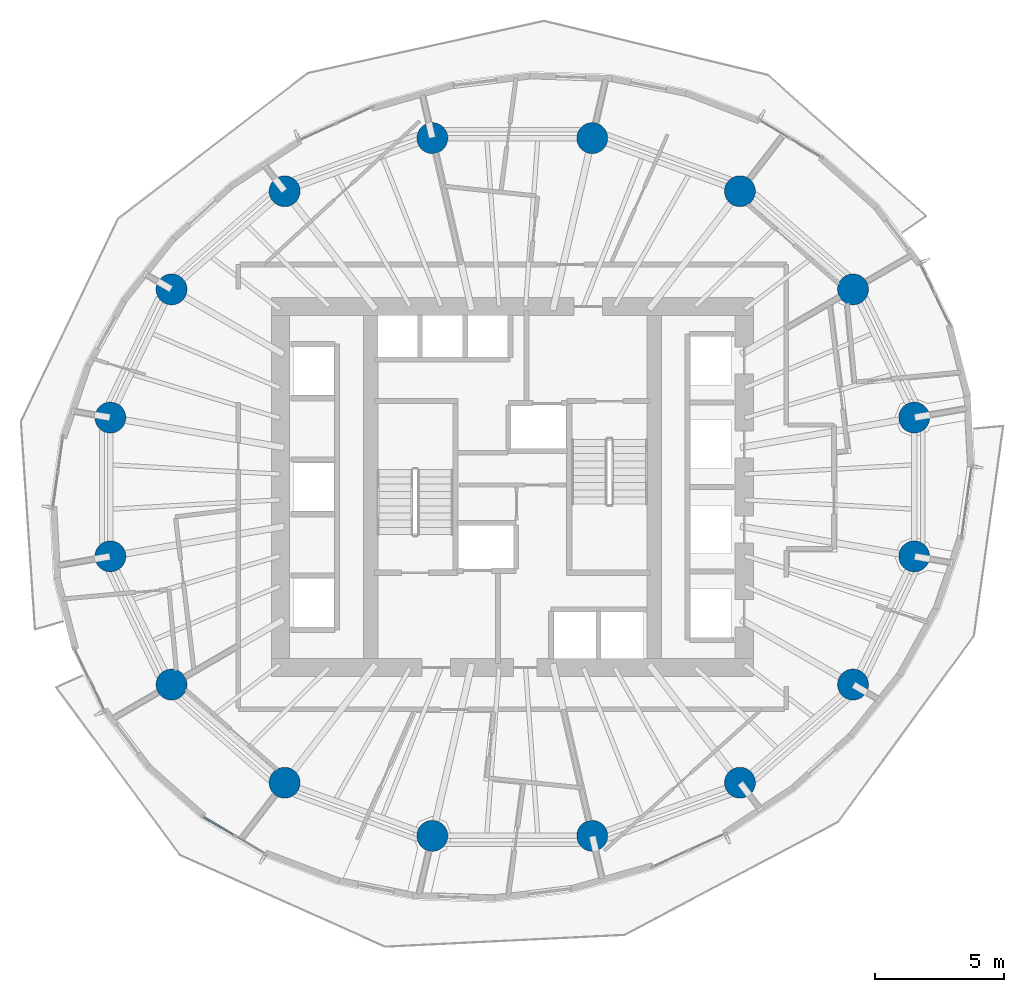
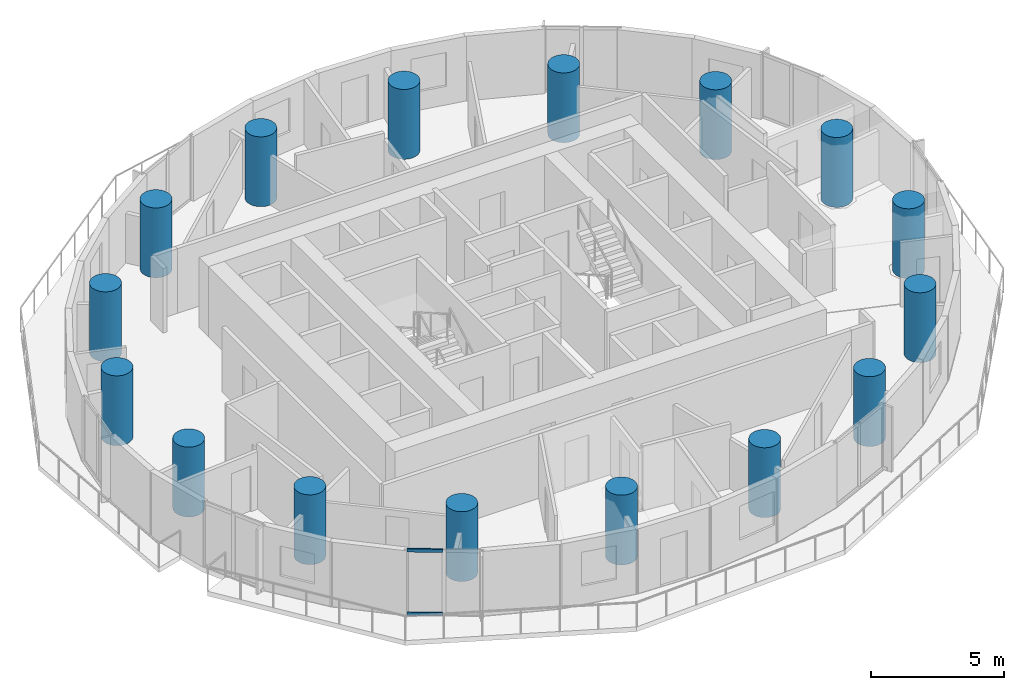
# One storey, part 1 of 14: 16 columns, 2 members, 1 element without a shape of its own.
"""IFC4 building model written with IfcOpenShell, lengths in metres."""

from ifc_helpers import new_model, si_unit, direction, frame, origin, origin_2d, place, context, subcontext, project, spatial, rectangle, circle, extrude, material, material_profile, profile_set, type_object, element, aggregate, save


model = new_model("IFC4")

# Units and contexts
model_context = context("Model", 3, precision=1e-05, world=origin(), true_north=direction((0.0, 1.0)))
body_context = subcontext(model_context, "Body", "Model", "MODEL_VIEW")
ifc_project = project(units=[si_unit("LENGTHUNIT", "METRE"), si_unit("AREAUNIT", "SQUARE_METRE"), si_unit("VOLUMEUNIT", "CUBIC_METRE"), si_unit("PLANEANGLEUNIT", "RADIAN"), si_unit("MASSUNIT", "GRAM", prefix="KILO")], contexts=[model_context])

# Site, building, storey
site_placement = place(None, origin())
site = spatial("IfcSite", under=ifc_project, at=site_placement, CompositionType="ELEMENT")
building_placement = place(site_placement, origin())
building = spatial("IfcBuilding", under=site, at=building_placement, Name="Veldorim Arch Residences", CompositionType="ELEMENT")
storey_placement = place(building_placement, frame((0.0, 0.0, 83.679931640625)))
storey = spatial("IfcBuildingStorey", under=building, at=storey_placement, Name="L24", CompositionType="ELEMENT", Elevation=83.679931640625)

# Columns
ifc_material_1 = material(Name="Concrete C60/75", Category="concrete")
ifc_material_profile_1 = material_profile(ifc_material_1, circle(Radius=0.60009765625, at=origin_2d()), Name="RC_CIRC_1200")
ifc_profile_set_1 = profile_set([ifc_material_profile_1], Name="Concrete C60/75")
column_type = type_object("IfcColumnType", Name="Structural Column RC_CIRC_1200", PredefinedType="COLUMN", material=ifc_profile_set_1)
for number, where, z_axis, x_axis, name in (
    (1, (47.594482421875, 26.692138671875, 0.0), (0.0, 0.0, 1.0), (1.0, 0.0, 0.0), "L24 TC-Z2-01 perimeter column"),
    (2, (45.220458984375, 31.6669921875, 0.0), (0.0, 0.0, 1.0), (1.0, 0.0, 0.0), "L24 TC-Z2-02 perimeter column"),
    (3, (40.83349609375, 35.474365234375, 0.0), (0.0, 0.0, 1.0), (1.0, 0.0, 0.0), "L24 TC-Z2-03 perimeter column"),
    (4, (35.101806640625, 37.534912109375, 0.0), (0.0, 0.0, 1.0), (1.0, 0.0, 0.0), "L24 TC-Z2-04 perimeter column"),
    (5, (28.898193359375, 37.534912109375, 0.0), (0.0, 0.0, 1.0), (1.0, 0.0, 0.0), "L24 TC-Z2-05 perimeter column"),
    (6, (23.16650390625, 35.474365234375, 0.0), (0.0, 0.0, 1.0), (1.0, 0.0, 0.0), "L24 TC-Z2-06 perimeter column"),
    (7, (18.779541015625, 31.6669921875, 0.0), (0.0, 0.0, 1.0), (1.0, 0.0, 0.0), "L24 TC-Z2-07 perimeter column"),
    (8, (16.405517578125, 26.692138671875, 0.0), (0.0, 0.0, 1.0), (1.0, 0.0, 0.0), "L24 TC-Z2-08 perimeter column"),
    (9, (16.405517578125, 21.307861328125, 0.0), (0.0, 0.0, 1.0), (1.0, 0.0, 0.0), "L24 TC-Z2-09 perimeter column"),
    (10, (18.779541015625, 16.3330078125, 0.0), (0.0, 0.0, 1.0), (1.0, 0.0, 0.0), "L24 TC-Z2-10 perimeter column"),
    (11, (23.16650390625, 12.525634765625, 0.0), (0.0, 0.0, 1.0), (1.0, 0.0, 0.0), "L24 TC-Z2-11 perimeter column"),
    (12, (28.898193359375, 10.465087890625, 0.0), (0.0, 0.0, 1.0), (1.0, 0.0, 0.0), "L24 TC-Z2-12 perimeter column"),
    (13, (35.101806640625, 10.465087890625, 0.0), (0.0, 0.0, 1.0), (1.0, 0.0, 0.0), "L24 TC-Z2-13 perimeter column"),
    (14, (40.83349609375, 12.525634765625, 0.0), (0.0, 0.0, 1.0), (1.0, 0.0, 0.0), "L24 TC-Z2-14 perimeter column"),
    (15, (45.220458984375, 16.3330078125, 0.0), (0.0, 0.0, 1.0), (1.0, 0.0, 0.0), "L24 TC-Z2-15 perimeter column"),
    (16, (47.594482421875, 21.307861328125, 0.0), (0.0, 0.0, 1.0), (1.0, 0.0, 0.0), "L24 TC-Z2-16 perimeter column"),
):
    element("IfcColumn", number, at=place(storey_placement, frame(where, z_axis=z_axis, x_axis=x_axis)), inside=storey, type_object=column_type, Name=name, PredefinedType="COLUMN", context=body_context, shape_type="SweptSolid", body=[
        extrude(circle(Radius=0.60009765625, at=origin_2d()), origin(), (0.0, 0.0, 1.0), 3.199951171875),
    ])

# Curtain wall, members
ifc_material_2 = material(Name="Aluminium", Category="aluminium")
curtain_wall_type = type_object("IfcCurtainWallType", Name="Zone 2 Solar-Control Unitised Curtain Wall", PredefinedType="NOTDEFINED", material=ifc_material_2)
curtain_wall_placement = place(storey_placement, origin())
curtain_wall = element("IfcCurtainWall", 17, at=curtain_wall_placement, inside=storey, type_object=curtain_wall_type, Name="L24 unitised curtain wall bay 22", PredefinedType="NOTDEFINED")
ifc_material_3 = material(Name="Aluminium", Category="aluminium")
ifc_material_profile_2 = material_profile(ifc_material_3, rectangle(XDim=0.06494140625, YDim=0.14501953125, at=origin_2d()), Name="ALU_TRN_65x145")
ifc_profile_set_2 = profile_set([ifc_material_profile_2], Name="Aluminium")
member_type = type_object("IfcMemberType", Name="Zone 2 Solar-Control Unitised Curtain Wall Transom 65x145", PredefinedType="USERDEFINED", material=ifc_profile_set_2)
member_1_placement = place(storey_placement, frame((21.18798828125, 10.50048828125, 0.032470703125), z_axis=(-0.857636334709, 0.514256664894, 0.0), x_axis=(-0.514256664894, -0.857636334709, 0.0)))
member_1 = element("IfcMember", 18, at=member_1_placement, type_object=member_type, Name="CW-Z2 transom 2.1", ObjectType="TRANSOM", PredefinedType="USERDEFINED", context=body_context, shape_type="SweptSolid", body=[
    extrude(rectangle(XDim=0.06494140625, YDim=0.14501953125, at=origin_2d()), origin(), (0.0, 0.0, 1.0), 1.3515625),
])
member_2_placement = place(storey_placement, frame((21.18798828125, 10.50048828125, 2.927490234375), z_axis=(-0.857636334709, 0.514256664894, 0.0), x_axis=(-0.514256664894, -0.857636334709, 0.0)))
member_2 = element("IfcMember", 19, at=member_2_placement, type_object=member_type, Name="CW-Z2 transom 2.2", ObjectType="TRANSOM", PredefinedType="USERDEFINED", context=body_context, shape_type="SweptSolid", body=[
    extrude(rectangle(XDim=0.06494140625, YDim=0.14501953125, at=origin_2d()), origin(), (0.0, 0.0, 1.0), 1.3515625),
])
aggregate(curtain_wall, [member_1, member_2])

save(model, "model.ifc")
